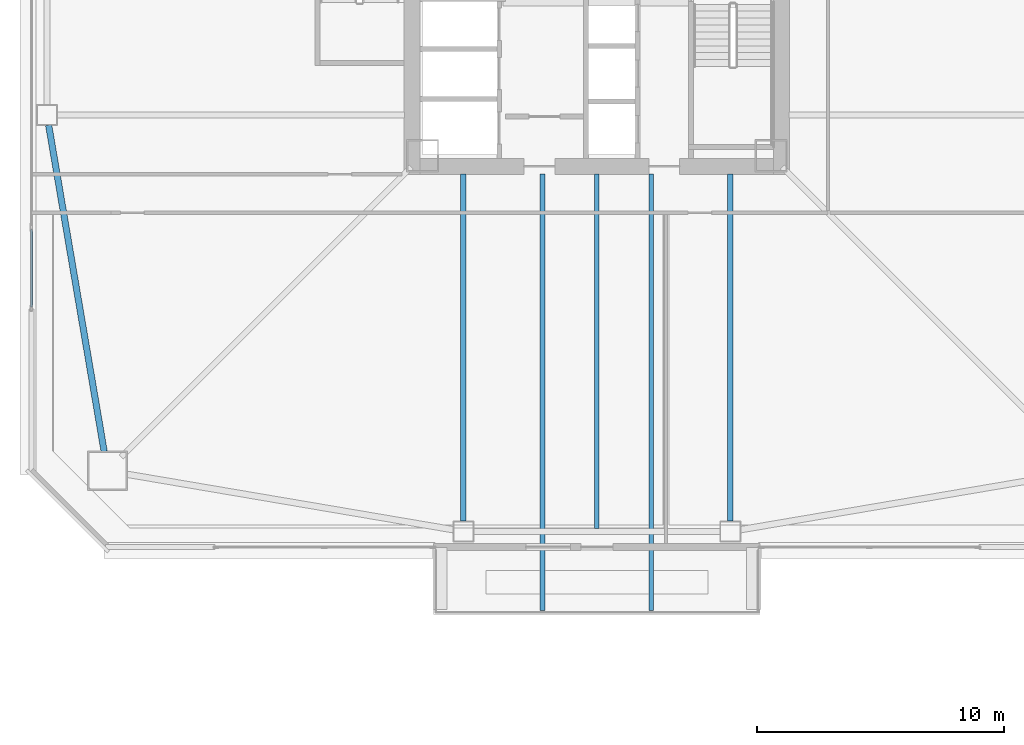
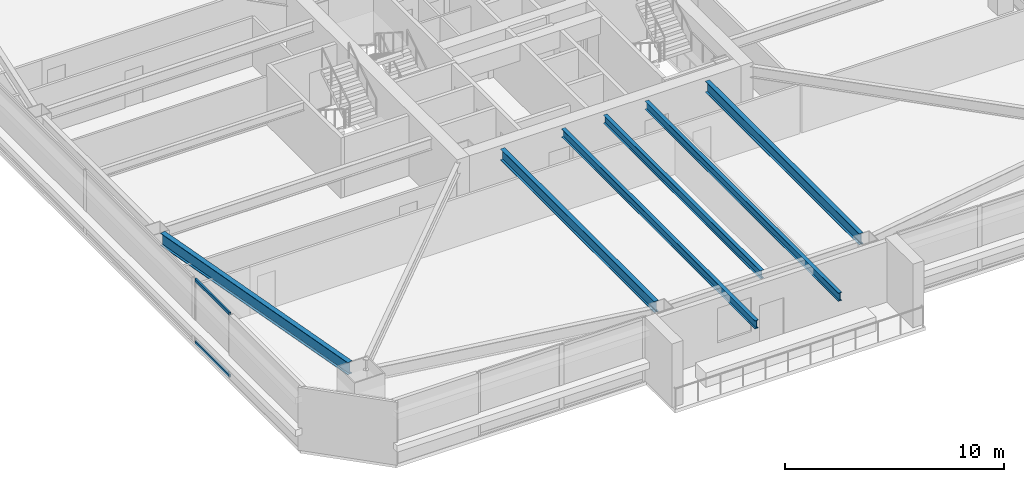
# One storey, part 6 of 46: 6 beams, 2 members, 1 element without a shape of its own.
"""IFC4 building model written with IfcOpenShell, lengths in metres."""

import ifcopenshell
import ifcopenshell.guid

model = None  # the IFC model being written
_history = None  # IfcOwnerHistory: only IFC2X3 demands one
_inside = {}  # id of a spatial element -> (the spatial element, [elements in it])
_under = {}  # id of a project, library or spatial element -> (it, [spatial elements below it])
_declared = {}  # id of a project -> (the project, [libraries it declares])
_typed = {}  # id of a type object -> (the type object, [elements of that type])
_made_of = {}  # id of a material, layer set ... -> (it, [elements and type objects made of it])


def new_model(schema):
    """Start an empty IFC model of exactly this schema.

    Asked for "IFC4X3", IfcOpenShell would pick the latest addendum, in which some entities
    have other attributes; the version numbers below select the first issue.
    IFC2X3 requires an IfcOwnerHistory on every rooted entity: one is made here for all.
    """
    global model, _history
    if schema == "IFC4X3":
        model = ifcopenshell.file(schema_version=(4, 3, 0, 0))
    else:
        model = ifcopenshell.file(schema=schema)
    _inside.clear()
    _under.clear()
    _declared.clear()
    _typed.clear()
    _made_of.clear()
    _history = None
    if model.schema == "IFC2X3":
        org = make("IfcOrganization", Name="unknown")
        user = make(
            "IfcPersonAndOrganization",
            ThePerson=make("IfcPerson", FamilyName="unknown"),
            TheOrganization=org,
        )
        app = make(
            "IfcApplication",
            ApplicationDeveloper=org,
            Version="unknown",
            ApplicationFullName="unknown",
            ApplicationIdentifier="unknown",
        )
        _history = make(
            "IfcOwnerHistory",
            OwningUser=user,
            OwningApplication=app,
            ChangeAction="ADDED",
            CreationDate=0,
        )
    return model


def make(cls, **values):
    """One entity of the class cls with the attributes given. An attribute that is None is left unset."""
    return model.create_entity(
        cls, **{name: value for name, value in values.items() if value is not None}
    )


def rooted(cls, **values):
    """An entity with a GlobalId (a new one), such as an element, a storey or a relation."""
    return make(cls, GlobalId=ifcopenshell.guid.new(), OwnerHistory=_history, **values)


def si_unit(unit_type, name, prefix=None):
    """IfcSIUnit, for example si_unit("LENGTHUNIT", "METRE", prefix="MILLI")."""
    return make("IfcSIUnit", UnitType=unit_type, Prefix=prefix, Name=name)


def assignment(units):
    """IfcUnitAssignment: the units of a project."""
    return None if units is None else make("IfcUnitAssignment", Units=units)


def point(xyz):
    """IfcCartesianPoint."""
    return None if xyz is None else make("IfcCartesianPoint", Coordinates=xyz)


def direction(xyz):
    """IfcDirection."""
    return None if xyz is None else make("IfcDirection", DirectionRatios=xyz)


def frame(location, z_axis=None, x_axis=None):
    """IfcAxis2Placement3D, a coordinate frame: its origin and axes. An axis left out is left unset."""
    return make(
        "IfcAxis2Placement3D",
        Location=point(location),
        Axis=direction(z_axis),
        RefDirection=direction(x_axis),
    )


def frame_2d(location, x_axis=None):
    """IfcAxis2Placement2D, a coordinate frame in the plane: its origin and x axis."""
    return make(
        "IfcAxis2Placement2D", Location=point(location), RefDirection=direction(x_axis)
    )


def origin():
    """The frame at (0, 0, 0) with its axes left unset."""
    return frame((0.0, 0.0, 0.0))


def origin_2d():
    """The frame at (0, 0) in the plane with its x axis left unset."""
    return frame_2d((0.0, 0.0))


def place(relative_to, where):
    """IfcLocalPlacement: puts the frame where relative to a parent placement (None: the world)."""
    return make(
        "IfcLocalPlacement", PlacementRelTo=relative_to, RelativePlacement=where
    )


def context(
    kind, dimensions, precision=None, world=None, true_north=None, identifier=None
):
    """IfcGeometricRepresentationContext, for example the 3D "Model" context."""
    return make(
        "IfcGeometricRepresentationContext",
        ContextIdentifier=identifier,
        ContextType=kind,
        CoordinateSpaceDimension=dimensions,
        Precision=precision,
        WorldCoordinateSystem=world,
        TrueNorth=true_north,
    )


def subcontext(parent, identifier, kind, view, scale=None):
    """IfcGeometricRepresentationSubContext, for example "Body" below "Model"."""
    return make(
        "IfcGeometricRepresentationSubContext",
        ContextIdentifier=identifier,
        ContextType=kind,
        ParentContext=parent,
        TargetScale=scale,
        TargetView=view,
    )


def project(units=None, contexts=None):
    """IfcProject with its units and contexts."""
    return rooted(
        "IfcProject",
        Name="project",
        RepresentationContexts=contexts,
        UnitsInContext=assignment(units),
    )


def spatial(cls, under=None, at=None, **own):
    """A site, building, storey or space (cls), placed at a placement, below another one or the project."""
    s = rooted(cls, ObjectPlacement=at, **own)
    if under is not None:
        _under.setdefault(under.id(), (under, []))[1].append(s)
    return s


def profile(cls, at=None, kind="AREA", **sizes):
    """A parametric profile (cls). Its sizes go by their IFC names, for example OverallWidth=200.0."""
    return make(cls, ProfileType=kind, Position=at, **sizes)


def hollow_rectangle(**sizes):
    """IfcRectangleHollowProfileDef."""
    return profile("IfcRectangleHollowProfileDef", **sizes)


def i_section(**sizes):
    """IfcIShapeProfileDef."""
    return profile("IfcIShapeProfileDef", **sizes)


def extrude(swept, where, along, depth):
    """IfcExtrudedAreaSolid: the profile swept, set in the frame where, extruded along a direction by depth."""
    return make(
        "IfcExtrudedAreaSolid",
        SweptArea=swept,
        Position=where,
        ExtrudedDirection=direction(along),
        Depth=depth,
    )


def shape(context_of_items, identifier, shape_type, items):
    """IfcShapeRepresentation: the items that make up one representation, for example the "Body"."""
    return make(
        "IfcShapeRepresentation",
        ContextOfItems=context_of_items,
        RepresentationIdentifier=identifier,
        RepresentationType=shape_type,
        Items=items,
    )


def material(Name=None, Category=None):
    """IfcMaterial."""
    return make("IfcMaterial", Name=Name, Category=Category)


def material_profile(
    of_material, cross_section, Name=None, Category=None, Priority=None
):
    """IfcMaterialProfile: a cross section and its material."""
    return make(
        "IfcMaterialProfile",
        Name=Name,
        Material=of_material,
        Profile=cross_section,
        Priority=Priority,
        Category=Category,
    )


def profile_set(profiles, Name=None, composite=None):
    """IfcMaterialProfileSet."""
    return make(
        "IfcMaterialProfileSet",
        Name=Name,
        MaterialProfiles=profiles,
        CompositeProfile=composite,
    )


def made_of(thing, what):
    """Note that an element or type object is made of a material, layer set ...; save() writes the relation."""
    if what is not None:
        _made_of.setdefault(what.id(), (what, []))[1].append(thing)
    return thing


def type_object(cls, material=None, **own):
    """A type object (cls), such as IfcWallType, which elements share."""
    return made_of(rooted(cls, **own), material)


def element(
    cls,
    number,
    at=None,
    inside=None,
    cuts=None,
    type_object=None,
    material=None,
    context=None,
    identifier="Body",
    shape_type=None,
    held_by="IfcProductDefinitionShape",
    body=None,
    shapes=None,
    **own,
):
    """One element of the class cls, such as IfcWall. Its Tag is "e" and its number.

    at: its placement. inside: the storey or other place that contains it. cuts: it is an
    opening in that element (IfcRelVoidsElement). A single representation is given by context,
    identifier, shape_type and body (its items); several are given by shapes. held_by: the class
    of the entity that holds the representations. save() writes the other relations.
    """
    e = rooted(cls, Tag="e%d" % number, ObjectPlacement=at, **own)
    if body is not None:
        shapes = [shape(context, identifier, shape_type, body)]
    if shapes is not None:
        e.Representation = make(held_by, Representations=shapes)
    if inside is not None:
        _inside.setdefault(inside.id(), (inside, []))[1].append(e)
    if cuts is not None:
        rooted(
            "IfcRelVoidsElement", RelatingBuildingElement=cuts, RelatedOpeningElement=e
        )
    if type_object is not None:
        _typed.setdefault(type_object.id(), (type_object, []))[1].append(e)
    return made_of(e, material)


def aggregate(whole, parts):
    """IfcRelAggregates: a whole, such as a stair, and the parts it consists of."""
    return rooted("IfcRelAggregates", RelatingObject=whole, RelatedObjects=parts)


def save(model, path):
    """Write the relations noted so far, then the file.

    IfcRelAggregates (storeys below a building ...), IfcRelContainedInSpatialStructure (elements
    in a storey), IfcRelDefinesByType, IfcRelAssociatesMaterial and IfcRelDeclares: one each for
    every whole, place, type object, material and project.
    """
    for whole, parts in _under.values():
        aggregate(whole, parts)
    for where, things in _inside.values():
        rooted(
            "IfcRelContainedInSpatialStructure",
            RelatedElements=things,
            RelatingStructure=where,
        )
    for kind, things in _typed.values():
        rooted("IfcRelDefinesByType", RelatedObjects=things, RelatingType=kind)
    for what, things in _made_of.values():
        rooted("IfcRelAssociatesMaterial", RelatedObjects=things, RelatingMaterial=what)
    for by, libraries in _declared.values():
        rooted("IfcRelDeclares", RelatingContext=by, RelatedDefinitions=libraries)
    model.write(path)


model = new_model("IFC4")

# Units and contexts
model_context = context("Model", 3, precision=1e-05, world=origin(), true_north=direction((0.0, 1.0)))
body_context = subcontext(model_context, "Body", "Model", "MODEL_VIEW")
ifc_project = project(units=[si_unit("LENGTHUNIT", "METRE"), si_unit("AREAUNIT", "SQUARE_METRE"), si_unit("VOLUMEUNIT", "CUBIC_METRE"), si_unit("PLANEANGLEUNIT", "RADIAN"), si_unit("MASSUNIT", "GRAM", prefix="KILO")], contexts=[model_context])

# Site, building, storey
site_placement = place(None, origin())
site = spatial("IfcSite", under=ifc_project, at=site_placement, CompositionType="ELEMENT")
building_placement = place(site_placement, origin())
building = spatial("IfcBuilding", under=site, at=building_placement, Name="Tashvorn Skyway Center", CompositionType="ELEMENT")
storey_placement = place(building_placement, frame((0.0, 0.0, 60.10009765625)))
storey = spatial("IfcBuildingStorey", under=building, at=storey_placement, Name="L15", CompositionType="ELEMENT", Elevation=60.10009765625)

# Beams
ifc_material_1 = material(Name="Steel ASTM A992 Grade 50", Category="steel")
ifc_material_profile_1 = material_profile(ifc_material_1, i_section(OverallWidth=0.22998046875, OverallDepth=0.616943359375, WebThickness=0.01318359375, FlangeThickness=0.022216796875, at=origin_2d()), Name="W24X94")
ifc_profile_set_1 = profile_set([ifc_material_profile_1], Name="Steel ASTM A992 Grade 50")
beam_type_1 = type_object("IfcBeamType", Name="BM-BEAM-W24X94", PredefinedType="BEAM", material=ifc_profile_set_1)
for number, where, z_axis, x_axis, name in (
    (1, (36.60009765625, 10.169921875, 3.04150390625), (0.0, 1.0, 0.0), (-1.0, 0.0, 0.0), "Tower 1 L15 Primary Floor Girder FC-S1"),
    (2, (47.39990234375, 10.169921875, 3.04150390625), (0.0, 1.0, 0.0), (-1.0, 0.0, 0.0), "Tower 1 L15 Primary Floor Girder FC-S2"),
):
    element("IfcBeam", number, at=place(storey_placement, frame(where, z_axis=z_axis, x_axis=x_axis)), inside=storey, type_object=beam_type_1, Name=name, PredefinedType="BEAM", context=body_context, shape_type="SweptSolid", body=[
        extrude(i_section(OverallWidth=0.22998046875, OverallDepth=0.616943359375, WebThickness=0.01318359375, FlangeThickness=0.022216796875, at=origin_2d()), origin(), (0.0, 0.0, 1.0), 14.050048828125),
    ])
ifc_material_profile_2 = material_profile(ifc_material_1, i_section(OverallWidth=0.19091796875, OverallDepth=0.4599609375, WebThickness=0.010009765625, FlangeThickness=0.01611328125, at=origin_2d()), Name="W18X55")
ifc_profile_set_2 = profile_set([ifc_material_profile_2], Name="Steel ASTM A992 Grade 50")
beam_type_2 = type_object("IfcBeamType", Name="BM-JOIST-W18X55", PredefinedType="JOIST", material=ifc_profile_set_2)
beam_1_placement = place(storey_placement, frame((42.0, 24.2099609375, 3.119873046875), z_axis=(0.0, -1.0, 0.0), x_axis=(1.0, 0.0, 0.0)))
element("IfcBeam", 3, at=beam_1_placement, inside=storey, type_object=beam_type_2, Name="Tower 1 L15 Secondary Composite Joist JS", PredefinedType="JOIST", context=body_context, shape_type="SweptSolid", body=[
    extrude(i_section(OverallWidth=0.19091796875, OverallDepth=0.4599609375, WebThickness=0.010009765625, FlangeThickness=0.01611328125, at=origin_2d()), origin(), (0.0, 0.0, 1.0), 14.33984375),
])
for number, where, z_axis, x_axis, name in (
    (4, (39.800048828125, 24.219970703125, 3.119873046875), (0.0, -1.0, 0.0), (1.0, 0.0, 0.0), "Tower 1 L16 Terrace Cantilever Outlooker 1"),
    (5, (44.199951171875, 24.219970703125, 3.119873046875), (0.0, -1.0, 0.0), (1.0, 0.0, 0.0), "Tower 1 L16 Terrace Cantilever Outlooker 2"),
):
    element("IfcBeam", number, at=place(storey_placement, frame(where, z_axis=z_axis, x_axis=x_axis)), inside=storey, type_object=beam_type_2, Name=name, PredefinedType="JOIST", context=body_context, shape_type="SweptSolid", body=[
        extrude(i_section(OverallWidth=0.19091796875, OverallDepth=0.4599609375, WebThickness=0.010009765625, FlangeThickness=0.01611328125, at=origin_2d()), origin(), (0.0, 0.0, 1.0), 17.669921875),
    ])
ifc_material_profile_3 = material_profile(ifc_material_1, i_section(OverallWidth=0.256103515625, OverallDepth=0.693115234375, WebThickness=0.014404296875, FlangeThickness=0.023681640625, at=origin_2d()), Name="W27X114")
ifc_profile_set_3 = profile_set([ifc_material_profile_3], Name="Steel ASTM A992 Grade 50")
beam_type_3 = type_object("IfcBeamType", Name="BM-SPANDREL-W27X114", PredefinedType="SPANDREL", material=ifc_profile_set_3)
beam_2_placement = place(storey_placement, frame((19.820556640625, 26.18603515625, 3.00341796875), z_axis=(0.16771792509, -0.985835025551, 0.0), x_axis=(0.985835025551, 0.16771792509, 0.0)))
element("IfcBeam", 6, at=beam_2_placement, inside=storey, type_object=beam_type_3, Name="Tower 1 L15 Spandrel Beam 12", PredefinedType="SPANDREL", context=body_context, shape_type="SweptSolid", body=[
    extrude(i_section(OverallWidth=0.256103515625, OverallDepth=0.693115234375, WebThickness=0.014404296875, FlangeThickness=0.023681640625, at=origin_2d()), origin(), (0.0, 0.0, 1.0), 13.39208984375),
])

# Curtain wall, members
ifc_material_2 = material(Name="Thermally broken bronze-anodized aluminium 6063-T6", Category="aluminium")
curtain_wall_type = type_object("IfcCurtainWallType", Name="CW-CW-Z1", PredefinedType="NOTDEFINED", material=ifc_material_2)
curtain_wall_placement = place(storey_placement, origin())
curtain_wall = element("IfcCurtainWall", 7, at=curtain_wall_placement, inside=storey, type_object=curtain_wall_type, Name="Tower 1 L15 West Unitised Curtain Wall Glazing Group 1", PredefinedType="NOTDEFINED")
ifc_material_profile_4 = material_profile(ifc_material_2, hollow_rectangle(XDim=0.0849609375, YDim=0.1650390625, WallThickness=0.0048828125, at=origin_2d()), Name="ALU-TRAN-85x165")
ifc_profile_set_4 = profile_set([ifc_material_profile_4], Name="Thermally broken bronze-anodized aluminium 6063-T6")
member_type = type_object("IfcMemberType", Name="CWT-CW-Z1", PredefinedType="USERDEFINED", material=ifc_profile_set_4)
member_1_placement = place(storey_placement, frame((19.1201171875, 18.831787109375, 0.04248046875), z_axis=(0.0, 1.0, 0.0), x_axis=(-1.0, 0.0, 0.0)))
member_1 = element("IfcMember", 8, at=member_1_placement, type_object=member_type, Name="CW-Z1 transom 1.1", ObjectType="TRANSOM", PredefinedType="USERDEFINED", context=body_context, shape_type="SweptSolid", body=[
    extrude(hollow_rectangle(XDim=0.0849609375, YDim=0.1650390625, WallThickness=0.0048828125, at=origin_2d()), origin(), (0.0, 0.0, 1.0), 3.143310546875),
])
member_2_placement = place(storey_placement, frame((19.1201171875, 18.831787109375, 3.50732421875), z_axis=(0.0, 1.0, 0.0), x_axis=(-1.0, 0.0, 0.0)))
member_2 = element("IfcMember", 9, at=member_2_placement, type_object=member_type, Name="CW-Z1 transom 1.2", ObjectType="TRANSOM", PredefinedType="USERDEFINED", context=body_context, shape_type="SweptSolid", body=[
    extrude(hollow_rectangle(XDim=0.0849609375, YDim=0.1650390625, WallThickness=0.0048828125, at=origin_2d()), origin(), (0.0, 0.0, 1.0), 3.143310546875),
])
aggregate(curtain_wall, [member_1, member_2])

save(model, "model.ifc")
